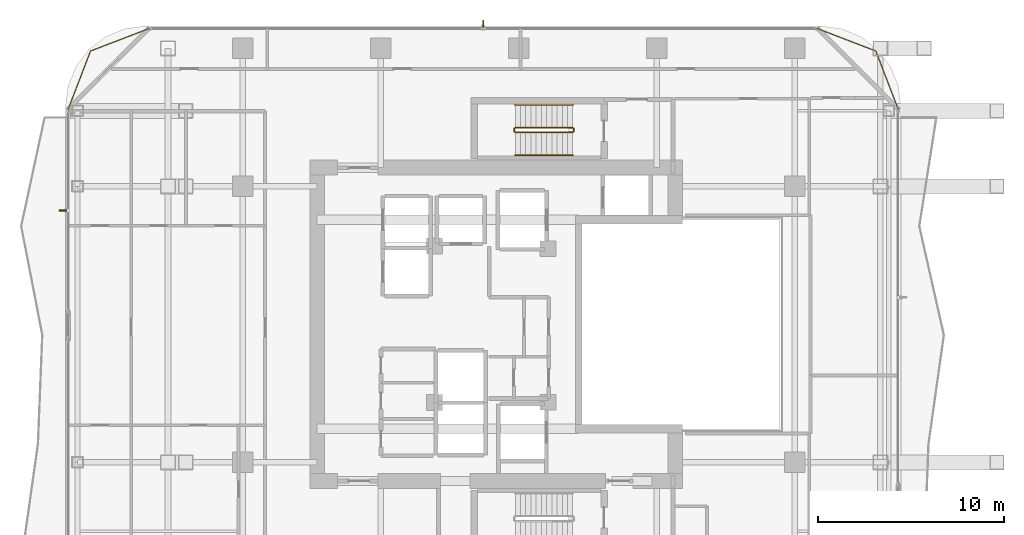
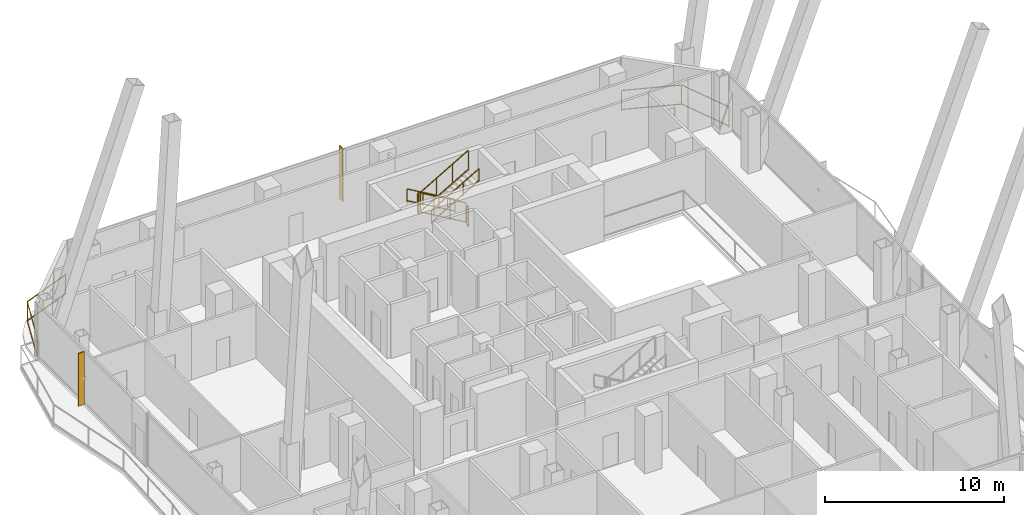
# One storey, part 27 of 27: 8 railings, 2 shading devices.
"""IFC4 building model written with IfcOpenShell, lengths in metres."""

from ifc_helpers import new_model, si_unit, direction, frame, origin, origin_2d, place, context, subcontext, project, spatial, rectangle, extrude, material, layer, layer_set, type_object, element, save


model = new_model("IFC4")

# Units and contexts
model_context = context("Model", 3, precision=1e-05, world=origin(), true_north=direction((0.0, 1.0)))
body_context = subcontext(model_context, "Body", "Model", "MODEL_VIEW")
ifc_project = project(units=[si_unit("LENGTHUNIT", "METRE"), si_unit("AREAUNIT", "SQUARE_METRE"), si_unit("VOLUMEUNIT", "CUBIC_METRE"), si_unit("PLANEANGLEUNIT", "RADIAN"), si_unit("MASSUNIT", "GRAM", prefix="KILO")], contexts=[model_context])

# Site, building, storey
site_placement = place(None, origin())
site = spatial("IfcSite", under=ifc_project, at=site_placement, CompositionType="ELEMENT")
building_placement = place(site_placement, origin())
building = spatial("IfcBuilding", under=site, at=building_placement, Name="Khorvyn Point Tower", CompositionType="ELEMENT")
storey_placement = place(building_placement, frame((0.0, 0.0, 203.10009765625)))
storey = spatial("IfcBuildingStorey", under=building, at=storey_placement, Name="L50", CompositionType="ELEMENT", Elevation=203.10009765625)

# Shading devices
ifc_material_1 = material(Name="Bronze anodised aluminium 6063-T6", Category="aluminium")
ifc_layer = layer(ifc_material_1, 0.06494140625)
ifc_layer_set = layer_set([ifc_layer], Name="Bronze Anodised Aluminium FIN 380x65")
shading_device_type = type_object("IfcShadingDeviceType", Name="Bronze Anodised Aluminium FIN 380x65", PredefinedType="USERDEFINED", material=ifc_layer_set)
for number, where, z_axis, x_axis, name in (
    (1, (-1.89990234375, 16.1298828125, 0.039794921875), (0.0, 0.0, 1.0), (0.0, 1.0, 0.0), "L50 Anodised FIN 01"),
    (2, (-24.429931640625, 6.103515625, 0.039794921875), (0.0, 0.0, 1.0), (-1.0, 0.0, 0.0), "L50 Anodised FIN 01"),
):
    element("IfcShadingDevice", number, at=place(storey_placement, frame(where, z_axis=z_axis, x_axis=x_axis)), inside=storey, type_object=shading_device_type, Name=name, ObjectType="FIN", PredefinedType="USERDEFINED", context=body_context, shape_type="SweptSolid", body=[
        extrude(rectangle(XDim=0.3798828125, YDim=0.06494140625, at=origin_2d()), origin(), (0.0, 0.0, 1.0), 3.60009765625),
    ])

# Railings
ifc_material_2 = material(Name="Anodised aluminium 6063-T6 and laminated safety glass", Category="aluminium")
railing_type_1 = type_object("IfcRailingType", Name="Laminated Glass and Aluminium Balcony Guardrail 1400", PredefinedType="BALUSTRADE", material=ifc_material_2)
railing_1_placement = place(storey_placement, frame((-19.78125, 15.874267578125, 0.0)))
element("IfcRailing", 3, at=railing_1_placement, inside=storey, type_object=railing_type_1, Name="L50 Rounded Corner Edge Guardrail NW", PredefinedType="BALUSTRADE", context=body_context, shape_type="SweptSolid", body=[
    extrude(rectangle(XDim=0.048095703125, YDim=0.048095703125, at=origin_2d()), frame((0.0, 0.0, 1.3759765625), z_axis=(-0.933589651443, -0.358343916815, 0.0), x_axis=(0.358343916815, -0.933589651443, 0.0)), (0.0, 0.0, 1.0), 3.400390625),
    extrude(rectangle(XDim=0.048095703125, YDim=0.048095703125, at=origin_2d()), frame((0.0, 0.0, 0.080078125), z_axis=(-0.933589651443, -0.358343916815, 0.0), x_axis=(0.358343916815, -0.933589651443, 0.0)), (0.0, 0.0, 1.0), 3.400390625),
    extrude(rectangle(XDim=0.048095703125, YDim=0.048095703125, at=origin_2d()), frame((-3.174560546875, -1.218505859375, 1.3759765625), z_axis=(-0.358343916815, -0.933589651443, 0.0), x_axis=(0.933589651443, -0.358343916815, 0.0)), (0.0, 0.0, 1.0), 3.400390625),
    extrude(rectangle(XDim=0.048095703125, YDim=0.048095703125, at=origin_2d()), frame((-3.174560546875, -1.218505859375, 0.080078125), z_axis=(-0.358343916815, -0.933589651443, 0.0), x_axis=(0.933589651443, -0.358343916815, 0.0)), (0.0, 0.0, 1.0), 3.400390625),
    extrude(rectangle(XDim=0.0419921875, YDim=0.0419921875, at=origin_2d()), origin(), (0.0, 0.0, 1.0), 1.351806640625),
    extrude(rectangle(XDim=0.0419921875, YDim=0.0419921875, at=origin_2d()), frame((-3.174560546875, -1.218505859375, 0.0)), (0.0, 0.0, 1.0), 1.351806640625),
    extrude(rectangle(XDim=0.0419921875, YDim=0.0419921875, at=origin_2d()), frame((-4.39306640625, -4.39306640625, 0.0)), (0.0, 0.0, 1.0), 1.351806640625),
])
railing_2_placement = place(storey_placement, frame((20.374267578125, 11.481201171875, 0.0)))
element("IfcRailing", 4, at=railing_2_placement, inside=storey, type_object=railing_type_1, Name="L50 Rounded Corner Edge Guardrail NE", PredefinedType="BALUSTRADE", context=body_context, shape_type="SweptSolid", body=[
    extrude(rectangle(XDim=0.048095703125, YDim=0.048095703125, at=origin_2d()), frame((0.0, 0.0, 1.3759765625), z_axis=(-0.358343916815, 0.933589651443, 0.0), x_axis=(-0.933589651443, -0.358343916815, 0.0)), (0.0, 0.0, 1.0), 3.400390625),
    extrude(rectangle(XDim=0.048095703125, YDim=0.048095703125, at=origin_2d()), frame((0.0, 0.0, 0.080078125), z_axis=(-0.358343916815, 0.933589651443, 0.0), x_axis=(-0.933589651443, -0.358343916815, 0.0)), (0.0, 0.0, 1.0), 3.400390625),
    extrude(rectangle(XDim=0.048095703125, YDim=0.048095703125, at=origin_2d()), frame((-1.218505859375, 3.174560546875, 1.3759765625), z_axis=(-0.933589651443, 0.358343916815, 0.0), x_axis=(-0.358343916815, -0.933589651443, 0.0)), (0.0, 0.0, 1.0), 3.400390625),
    extrude(rectangle(XDim=0.048095703125, YDim=0.048095703125, at=origin_2d()), frame((-1.218505859375, 3.174560546875, 0.080078125), z_axis=(-0.933589651443, 0.358343916815, 0.0), x_axis=(-0.358343916815, -0.933589651443, 0.0)), (0.0, 0.0, 1.0), 3.400390625),
    extrude(rectangle(XDim=0.0419921875, YDim=0.0419921875, at=origin_2d()), origin(), (0.0, 0.0, 1.0), 1.351806640625),
    extrude(rectangle(XDim=0.0419921875, YDim=0.0419921875, at=origin_2d()), frame((-1.218505859375, 3.174560546875, 0.0)), (0.0, 0.0, 1.0), 1.351806640625),
    extrude(rectangle(XDim=0.0419921875, YDim=0.0419921875, at=origin_2d()), frame((-4.39306640625, 4.39306640625, 0.0)), (0.0, 0.0, 1.0), 1.351806640625),
])
ifc_material_3 = material(Name="Stainless steel 1.4301", Category="steel")
railing_type_2 = type_object("IfcRailingType", Name="Stainless Steel 304 Stair Pitch Handrail 900", PredefinedType="HANDRAIL", material=ifc_material_3)
railing_3_placement = place(storey_placement, frame((2.89990234375, 11.77001953125, 0.162353515625)))
element("IfcRailing", 5, at=railing_3_placement, inside=storey, type_object=railing_type_2, Name="L50 ST-02 stair handrail 1", PredefinedType="HANDRAIL", context=body_context, shape_type="SweptSolid", body=[
    extrude(rectangle(XDim=0.048095703125, YDim=0.048095703125, at=origin_2d()), frame((0.0, 0.0, 0.8759765625), z_axis=(-0.864873446163, 0.0, 0.501989962173), x_axis=(0.0, -1.0, 0.0)), (0.0, 0.0, 1.0), 3.56103515625),
    extrude(rectangle(XDim=0.048095703125, YDim=0.048095703125, at=origin_2d()), frame((0.0, 0.0, 0.080078125), z_axis=(-0.864873446163, 0.0, 0.501989962173), x_axis=(0.0, -1.0, 0.0)), (0.0, 0.0, 1.0), 3.56103515625),
    extrude(rectangle(XDim=0.0419921875, YDim=0.0419921875, at=origin_2d()), origin(), (0.0, 0.0, 1.0), 0.851806640625),
    extrude(rectangle(XDim=0.0419921875, YDim=0.0419921875, at=origin_2d()), frame((-1.026611328125, 0.0, 0.595947265625)), (0.0, 0.0, 1.0), 0.851806640625),
    extrude(rectangle(XDim=0.0419921875, YDim=0.0419921875, at=origin_2d()), frame((-2.05322265625, 0.0, 1.191650390625)), (0.0, 0.0, 1.0), 0.851806640625),
    extrude(rectangle(XDim=0.0419921875, YDim=0.0419921875, at=origin_2d()), frame((-3.079833984375, 0.0, 1.78759765625)), (0.0, 0.0, 1.0), 0.851806640625),
])
railing_4_placement = place(storey_placement, frame((-0.179931640625, 9.070068359375, 2.1123046875)))
element("IfcRailing", 6, at=railing_4_placement, inside=storey, type_object=railing_type_2, Name="L50 ST-02 stair handrail 2", PredefinedType="HANDRAIL", context=body_context, shape_type="SweptSolid", body=[
    extrude(rectangle(XDim=0.048095703125, YDim=0.048095703125, at=origin_2d()), frame((0.0, 0.0, 0.8759765625), z_axis=(0.864873446163, 0.0, 0.501989962173), x_axis=(0.0, 1.0, 0.0)), (0.0, 0.0, 1.0), 3.56103515625),
    extrude(rectangle(XDim=0.048095703125, YDim=0.048095703125, at=origin_2d()), frame((0.0, 0.0, 0.080078125), z_axis=(0.864873446163, 0.0, 0.501989962173), x_axis=(0.0, 1.0, 0.0)), (0.0, 0.0, 1.0), 3.56103515625),
    extrude(rectangle(XDim=0.0419921875, YDim=0.0419921875, at=origin_2d()), origin(), (0.0, 0.0, 1.0), 0.851806640625),
    extrude(rectangle(XDim=0.0419921875, YDim=0.0419921875, at=origin_2d()), frame((1.026611328125, 0.0, 0.595947265625)), (0.0, 0.0, 1.0), 0.851806640625),
    extrude(rectangle(XDim=0.0419921875, YDim=0.0419921875, at=origin_2d()), frame((2.05322265625, 0.0, 1.191650390625)), (0.0, 0.0, 1.0), 0.851806640625),
    extrude(rectangle(XDim=0.0419921875, YDim=0.0419921875, at=origin_2d()), frame((3.079833984375, 0.0, 1.78759765625)), (0.0, 0.0, 1.0), 0.851806640625),
])
railing_type_3 = type_object("IfcRailingType", Name="Stainless Steel 304 Stair Well Guardrail 1400", PredefinedType="GUARDRAIL", material=ifc_material_3)
railing_5_placement = place(storey_placement, frame((2.89990234375, 10.550048828125, 0.162353515625)))
element("IfcRailing", 7, at=railing_5_placement, inside=storey, type_object=railing_type_3, Name="L50 ST-02 stair guard 1", PredefinedType="GUARDRAIL", context=body_context, shape_type="SweptSolid", body=[
    extrude(rectangle(XDim=0.048095703125, YDim=0.048095703125, at=origin_2d()), frame((0.0, 0.0, 1.3759765625), z_axis=(-0.864873446163, 0.0, 0.501989962173), x_axis=(0.0, -1.0, 0.0)), (0.0, 0.0, 1.0), 3.56103515625),
    extrude(rectangle(XDim=0.048095703125, YDim=0.048095703125, at=origin_2d()), frame((0.0, 0.0, 0.080078125), z_axis=(-0.864873446163, 0.0, 0.501989962173), x_axis=(0.0, -1.0, 0.0)), (0.0, 0.0, 1.0), 3.56103515625),
    extrude(rectangle(XDim=0.0419921875, YDim=0.0419921875, at=origin_2d()), origin(), (0.0, 0.0, 1.0), 1.351806640625),
    extrude(rectangle(XDim=0.0419921875, YDim=0.0419921875, at=origin_2d()), frame((-1.026611328125, 0.0, 0.595947265625)), (0.0, 0.0, 1.0), 1.351806640625),
    extrude(rectangle(XDim=0.0419921875, YDim=0.0419921875, at=origin_2d()), frame((-2.05322265625, 0.0, 1.191650390625)), (0.0, 0.0, 1.0), 1.351806640625),
    extrude(rectangle(XDim=0.0419921875, YDim=0.0419921875, at=origin_2d()), frame((-3.079833984375, 0.0, 1.78759765625)), (0.0, 0.0, 1.0), 1.351806640625),
])
railing_6_placement = place(storey_placement, frame((-0.22998046875, 10.5, 1.949951171875)))
element("IfcRailing", 8, at=railing_6_placement, inside=storey, type_object=railing_type_3, Name="L50 ST-02 stair guard 2", PredefinedType="GUARDRAIL", context=body_context, shape_type="SweptSolid", body=[
    extrude(rectangle(XDim=0.048095703125, YDim=0.048095703125, at=origin_2d()), frame((0.0, 0.0, 1.3759765625), z_axis=(0.0, -1.0, 0.0), x_axis=(1.0, 0.0, 0.0)), (0.0, 0.0, 1.0), 0.159912109375),
    extrude(rectangle(XDim=0.048095703125, YDim=0.048095703125, at=origin_2d()), frame((0.0, 0.0, 0.080078125), z_axis=(0.0, -1.0, 0.0), x_axis=(1.0, 0.0, 0.0)), (0.0, 0.0, 1.0), 0.159912109375),
    extrude(rectangle(XDim=0.0419921875, YDim=0.0419921875, at=origin_2d()), origin(), (0.0, 0.0, 1.0), 1.351806640625),
    extrude(rectangle(XDim=0.0419921875, YDim=0.0419921875, at=origin_2d()), frame((0.0, -0.159912109375, 0.0)), (0.0, 0.0, 1.0), 1.351806640625),
])
railing_7_placement = place(storey_placement, frame((-0.179931640625, 10.2900390625, 2.1123046875)))
element("IfcRailing", 9, at=railing_7_placement, inside=storey, type_object=railing_type_3, Name="L50 ST-02 stair guard 3", PredefinedType="GUARDRAIL", context=body_context, shape_type="SweptSolid", body=[
    extrude(rectangle(XDim=0.048095703125, YDim=0.048095703125, at=origin_2d()), frame((0.0, 0.0, 1.3759765625), z_axis=(0.864873446163, 0.0, 0.501989962173), x_axis=(0.0, 1.0, 0.0)), (0.0, 0.0, 1.0), 3.56103515625),
    extrude(rectangle(XDim=0.048095703125, YDim=0.048095703125, at=origin_2d()), frame((0.0, 0.0, 0.080078125), z_axis=(0.864873446163, 0.0, 0.501989962173), x_axis=(0.0, 1.0, 0.0)), (0.0, 0.0, 1.0), 3.56103515625),
    extrude(rectangle(XDim=0.0419921875, YDim=0.0419921875, at=origin_2d()), origin(), (0.0, 0.0, 1.0), 1.351806640625),
    extrude(rectangle(XDim=0.0419921875, YDim=0.0419921875, at=origin_2d()), frame((1.026611328125, 0.0, 0.595947265625)), (0.0, 0.0, 1.0), 1.351806640625),
    extrude(rectangle(XDim=0.0419921875, YDim=0.0419921875, at=origin_2d()), frame((2.05322265625, 0.0, 1.191650390625)), (0.0, 0.0, 1.0), 1.351806640625),
    extrude(rectangle(XDim=0.0419921875, YDim=0.0419921875, at=origin_2d()), frame((3.079833984375, 0.0, 1.78759765625)), (0.0, 0.0, 1.0), 1.351806640625),
])
railing_8_placement = place(storey_placement, frame((2.949951171875, 10.5, 0.0)))
element("IfcRailing", 10, at=railing_8_placement, inside=storey, type_object=railing_type_3, Name="L50 ST-02 stair guard 4", PredefinedType="GUARDRAIL", context=body_context, shape_type="SweptSolid", body=[
    extrude(rectangle(XDim=0.048095703125, YDim=0.048095703125, at=origin_2d()), frame((0.0, 0.0, 1.3759765625), z_axis=(0.0, -1.0, 0.0), x_axis=(1.0, 0.0, 0.0)), (0.0, 0.0, 1.0), 0.159912109375),
    extrude(rectangle(XDim=0.048095703125, YDim=0.048095703125, at=origin_2d()), frame((0.0, 0.0, 0.080078125), z_axis=(0.0, -1.0, 0.0), x_axis=(1.0, 0.0, 0.0)), (0.0, 0.0, 1.0), 0.159912109375),
    extrude(rectangle(XDim=0.0419921875, YDim=0.0419921875, at=origin_2d()), origin(), (0.0, 0.0, 1.0), 1.351806640625),
    extrude(rectangle(XDim=0.0419921875, YDim=0.0419921875, at=origin_2d()), frame((0.0, -0.159912109375, 0.0)), (0.0, 0.0, 1.0), 1.351806640625),
])

save(model, "model.ifc")
